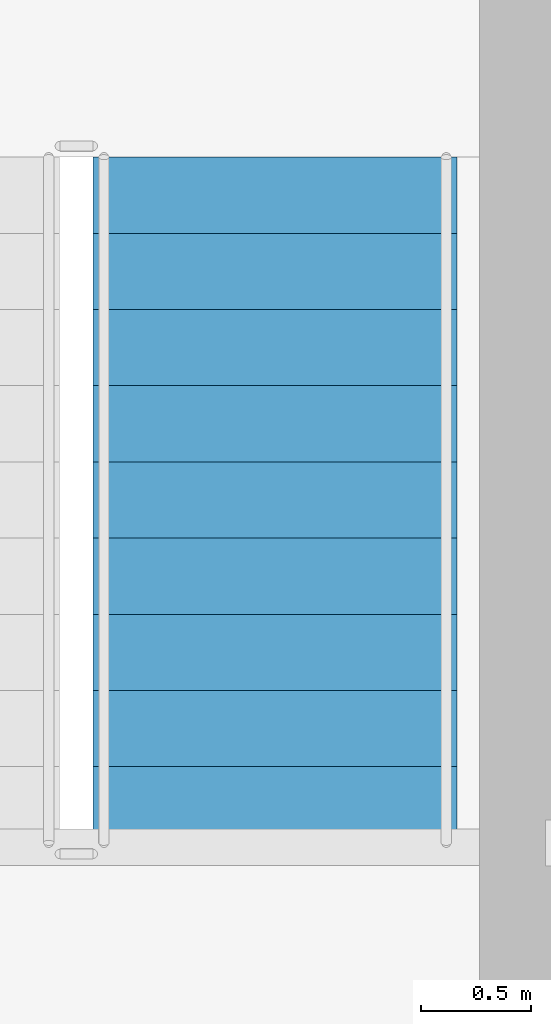
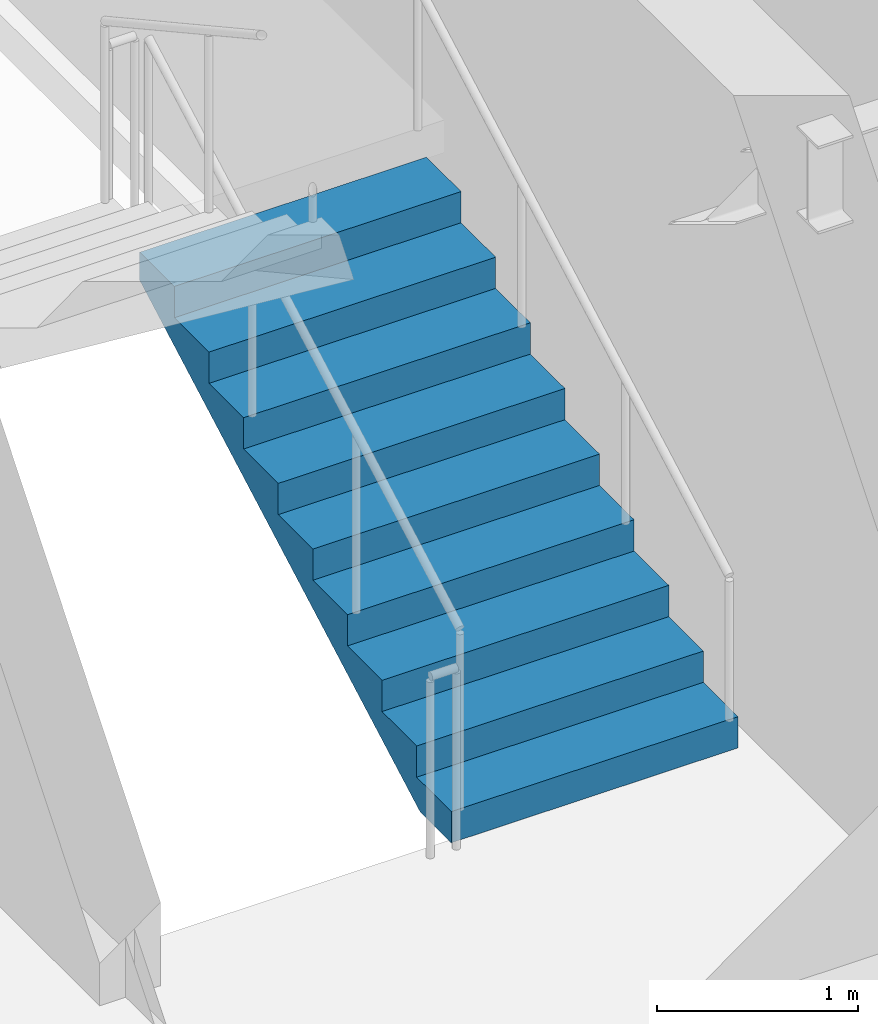
# One storey, part 35 of 36: 1 stair flight, 1 element without a shape of its own.
"""IFC4 building model written with IfcOpenShell, lengths in metres."""

import ifcopenshell
import ifcopenshell.guid

model = None  # the IFC model being written
_history = None  # IfcOwnerHistory: only IFC2X3 demands one
_inside = {}  # id of a spatial element -> (the spatial element, [elements in it])
_under = {}  # id of a project, library or spatial element -> (it, [spatial elements below it])
_declared = {}  # id of a project -> (the project, [libraries it declares])
_typed = {}  # id of a type object -> (the type object, [elements of that type])
_made_of = {}  # id of a material, layer set ... -> (it, [elements and type objects made of it])


def new_model(schema):
    """Start an empty IFC model of exactly this schema.

    Asked for "IFC4X3", IfcOpenShell would pick the latest addendum, in which some entities
    have other attributes; the version numbers below select the first issue.
    IFC2X3 requires an IfcOwnerHistory on every rooted entity: one is made here for all.
    """
    global model, _history
    if schema == "IFC4X3":
        model = ifcopenshell.file(schema_version=(4, 3, 0, 0))
    else:
        model = ifcopenshell.file(schema=schema)
    _inside.clear()
    _under.clear()
    _declared.clear()
    _typed.clear()
    _made_of.clear()
    _history = None
    if model.schema == "IFC2X3":
        org = make("IfcOrganization", Name="unknown")
        user = make(
            "IfcPersonAndOrganization",
            ThePerson=make("IfcPerson", FamilyName="unknown"),
            TheOrganization=org,
        )
        app = make(
            "IfcApplication",
            ApplicationDeveloper=org,
            Version="unknown",
            ApplicationFullName="unknown",
            ApplicationIdentifier="unknown",
        )
        _history = make(
            "IfcOwnerHistory",
            OwningUser=user,
            OwningApplication=app,
            ChangeAction="ADDED",
            CreationDate=0,
        )
    return model


def make(cls, **values):
    """One entity of the class cls with the attributes given. An attribute that is None is left unset."""
    return model.create_entity(
        cls, **{name: value for name, value in values.items() if value is not None}
    )


def rooted(cls, **values):
    """An entity with a GlobalId (a new one), such as an element, a storey or a relation."""
    return make(cls, GlobalId=ifcopenshell.guid.new(), OwnerHistory=_history, **values)


def si_unit(unit_type, name, prefix=None):
    """IfcSIUnit, for example si_unit("LENGTHUNIT", "METRE", prefix="MILLI")."""
    return make("IfcSIUnit", UnitType=unit_type, Prefix=prefix, Name=name)


def assignment(units):
    """IfcUnitAssignment: the units of a project."""
    return None if units is None else make("IfcUnitAssignment", Units=units)


def point(xyz):
    """IfcCartesianPoint."""
    return None if xyz is None else make("IfcCartesianPoint", Coordinates=xyz)


def direction(xyz):
    """IfcDirection."""
    return None if xyz is None else make("IfcDirection", DirectionRatios=xyz)


def frame(location, z_axis=None, x_axis=None):
    """IfcAxis2Placement3D, a coordinate frame: its origin and axes. An axis left out is left unset."""
    return make(
        "IfcAxis2Placement3D",
        Location=point(location),
        Axis=direction(z_axis),
        RefDirection=direction(x_axis),
    )


def origin():
    """The frame at (0, 0, 0) with its axes left unset."""
    return frame((0.0, 0.0, 0.0))


def place(relative_to, where):
    """IfcLocalPlacement: puts the frame where relative to a parent placement (None: the world)."""
    return make(
        "IfcLocalPlacement", PlacementRelTo=relative_to, RelativePlacement=where
    )


def context(
    kind, dimensions, precision=None, world=None, true_north=None, identifier=None
):
    """IfcGeometricRepresentationContext, for example the 3D "Model" context."""
    return make(
        "IfcGeometricRepresentationContext",
        ContextIdentifier=identifier,
        ContextType=kind,
        CoordinateSpaceDimension=dimensions,
        Precision=precision,
        WorldCoordinateSystem=world,
        TrueNorth=true_north,
    )


def subcontext(parent, identifier, kind, view, scale=None):
    """IfcGeometricRepresentationSubContext, for example "Body" below "Model"."""
    return make(
        "IfcGeometricRepresentationSubContext",
        ContextIdentifier=identifier,
        ContextType=kind,
        ParentContext=parent,
        TargetScale=scale,
        TargetView=view,
    )


def project(units=None, contexts=None):
    """IfcProject with its units and contexts."""
    return rooted(
        "IfcProject",
        Name="project",
        RepresentationContexts=contexts,
        UnitsInContext=assignment(units),
    )


def spatial(cls, under=None, at=None, **own):
    """A site, building, storey or space (cls), placed at a placement, below another one or the project."""
    s = rooted(cls, ObjectPlacement=at, **own)
    if under is not None:
        _under.setdefault(under.id(), (under, []))[1].append(s)
    return s


def polyline(points):
    """IfcPolyline through the points."""
    return make("IfcPolyline", Points=[point(p) for p in points])


def outline(outer, holes=None, kind="AREA"):
    """IfcArbitraryClosedProfileDef: a profile drawn as a closed curve; with holes, ...WithVoids."""
    if holes is None:
        return make("IfcArbitraryClosedProfileDef", ProfileType=kind, OuterCurve=outer)
    return make(
        "IfcArbitraryProfileDefWithVoids",
        ProfileType=kind,
        OuterCurve=outer,
        InnerCurves=holes,
    )


def extrude(swept, where, along, depth):
    """IfcExtrudedAreaSolid: the profile swept, set in the frame where, extruded along a direction by depth."""
    return make(
        "IfcExtrudedAreaSolid",
        SweptArea=swept,
        Position=where,
        ExtrudedDirection=direction(along),
        Depth=depth,
    )


def shape(context_of_items, identifier, shape_type, items):
    """IfcShapeRepresentation: the items that make up one representation, for example the "Body"."""
    return make(
        "IfcShapeRepresentation",
        ContextOfItems=context_of_items,
        RepresentationIdentifier=identifier,
        RepresentationType=shape_type,
        Items=items,
    )


def material(Name=None, Category=None):
    """IfcMaterial."""
    return make("IfcMaterial", Name=Name, Category=Category)


def made_of(thing, what):
    """Note that an element or type object is made of a material, layer set ...; save() writes the relation."""
    if what is not None:
        _made_of.setdefault(what.id(), (what, []))[1].append(thing)
    return thing


def type_object(cls, material=None, **own):
    """A type object (cls), such as IfcWallType, which elements share."""
    return made_of(rooted(cls, **own), material)


def element(
    cls,
    number,
    at=None,
    inside=None,
    cuts=None,
    type_object=None,
    material=None,
    context=None,
    identifier="Body",
    shape_type=None,
    held_by="IfcProductDefinitionShape",
    body=None,
    shapes=None,
    **own,
):
    """One element of the class cls, such as IfcWall. Its Tag is "e" and its number.

    at: its placement. inside: the storey or other place that contains it. cuts: it is an
    opening in that element (IfcRelVoidsElement). A single representation is given by context,
    identifier, shape_type and body (its items); several are given by shapes. held_by: the class
    of the entity that holds the representations. save() writes the other relations.
    """
    e = rooted(cls, Tag="e%d" % number, ObjectPlacement=at, **own)
    if body is not None:
        shapes = [shape(context, identifier, shape_type, body)]
    if shapes is not None:
        e.Representation = make(held_by, Representations=shapes)
    if inside is not None:
        _inside.setdefault(inside.id(), (inside, []))[1].append(e)
    if cuts is not None:
        rooted(
            "IfcRelVoidsElement", RelatingBuildingElement=cuts, RelatedOpeningElement=e
        )
    if type_object is not None:
        _typed.setdefault(type_object.id(), (type_object, []))[1].append(e)
    return made_of(e, material)


def aggregate(whole, parts):
    """IfcRelAggregates: a whole, such as a stair, and the parts it consists of."""
    return rooted("IfcRelAggregates", RelatingObject=whole, RelatedObjects=parts)


def save(model, path):
    """Write the relations noted so far, then the file.

    IfcRelAggregates (storeys below a building ...), IfcRelContainedInSpatialStructure (elements
    in a storey), IfcRelDefinesByType, IfcRelAssociatesMaterial and IfcRelDeclares: one each for
    every whole, place, type object, material and project.
    """
    for whole, parts in _under.values():
        aggregate(whole, parts)
    for where, things in _inside.values():
        rooted(
            "IfcRelContainedInSpatialStructure",
            RelatedElements=things,
            RelatingStructure=where,
        )
    for kind, things in _typed.values():
        rooted("IfcRelDefinesByType", RelatedObjects=things, RelatingType=kind)
    for what, things in _made_of.values():
        rooted("IfcRelAssociatesMaterial", RelatedObjects=things, RelatingMaterial=what)
    for by, libraries in _declared.values():
        rooted("IfcRelDeclares", RelatingContext=by, RelatedDefinitions=libraries)
    model.write(path)


model = new_model("IFC4")

# Units and contexts
model_context = context("Model", 3, precision=1e-05, world=origin(), true_north=direction((0.0, 1.0)))
body_context = subcontext(model_context, "Body", "Model", "MODEL_VIEW")
ifc_project = project(units=[si_unit("LENGTHUNIT", "METRE"), si_unit("AREAUNIT", "SQUARE_METRE"), si_unit("VOLUMEUNIT", "CUBIC_METRE"), si_unit("PLANEANGLEUNIT", "RADIAN"), si_unit("MASSUNIT", "GRAM", prefix="KILO")], contexts=[model_context])

# Site, building, storey
site_placement = place(None, origin())
site = spatial("IfcSite", under=ifc_project, at=site_placement, CompositionType="ELEMENT")
building_placement = place(site_placement, origin())
building = spatial("IfcBuilding", under=site, at=building_placement, Name="Tolvann Quenvar Hotel", CompositionType="ELEMENT")
storey_placement = place(building_placement, frame((0.0, 0.0, 306.14990234375)))
storey = spatial("IfcBuildingStorey", under=building, at=storey_placement, Name="L81", CompositionType="ELEMENT", Elevation=306.14990234375)

# Stair, stair flight
ifc_material = material(Name="Concrete N40 (40 MPa)", Category="concrete")
stair_type = type_object("IfcStairType", Name="STAIR", PredefinedType="HALF_TURN_STAIR", material=ifc_material)
stair_placement = place(storey_placement, origin())
stair = element("IfcStair", 1, at=stair_placement, inside=storey, type_object=stair_type, Name="L81 ST-C2", PredefinedType="HALF_TURN_STAIR")
stair_flight_type = type_object("IfcStairFlightType", Name="STAIR_FLIGHT", PredefinedType="STRAIGHT", material=ifc_material)
stair_flight_placement = place(storey_placement, frame((34.574951171875, 34.0, 0.0), z_axis=(0.0, 0.0, 1.0), x_axis=(0.0, 1.0, 0.0)))
stair_flight = element("IfcStairFlight", 2, at=stair_flight_placement, type_object=stair_flight_type, Name="ST-C2 flight 1", NumberOfRisers=10, NumberOfTreads=9, PredefinedType="STRAIGHT", RiserHeight=0.19, TreadLength=0.345, context=body_context, shape_type="SweptSolid", body=[
    extrude(outline(polyline([(0.0, 0.0), (0.0, 0.18994140625), (0.344970703125, 0.18994140625), (0.344970703125, 0.3798828125), (0.68994140625, 0.3798828125), (0.68994140625, 0.570068359375), (1.034912109375, 0.570068359375), (1.034912109375, 0.760009765625), (1.3798828125, 0.760009765625), (1.3798828125, 0.949951171875), (1.72509765625, 0.949951171875), (1.72509765625, 1.139892578125), (2.070068359375, 1.139892578125), (2.070068359375, 1.330078125), (2.4150390625, 1.330078125), (2.4150390625, 1.52001953125), (2.760009765625, 1.52001953125), (2.760009765625, 1.7099609375), (3.10498046875, 1.7099609375), (3.10498046875, 1.89990234375), (3.10498046875, 1.538818359375), (0.310791015625, 0.0), (0.0, 0.0)])), frame((0.0, 0.824951171875, 0.0), z_axis=(0.0, -1.0, 0.0), x_axis=(1.0, 0.0, 0.0)), (0.0, 0.0, 1.0), 1.64990234375),
])
aggregate(stair, [stair_flight])

save(model, "model.ifc")
